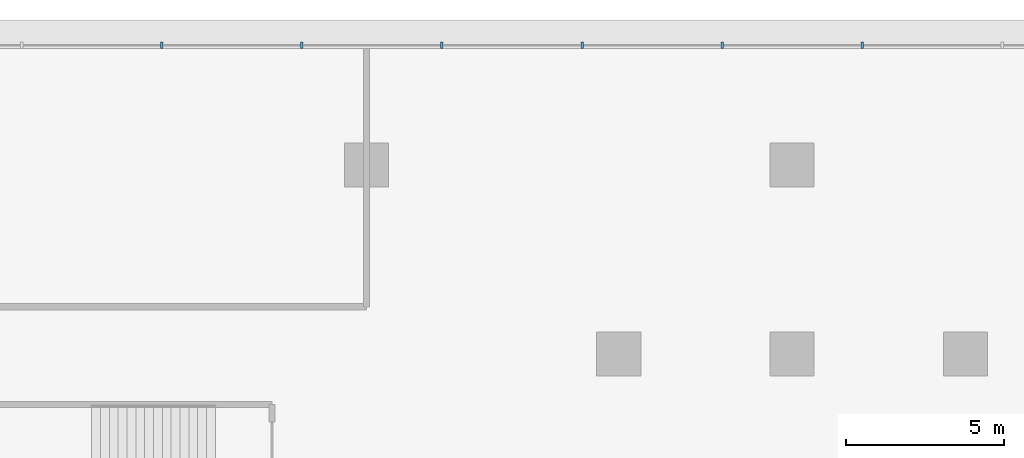
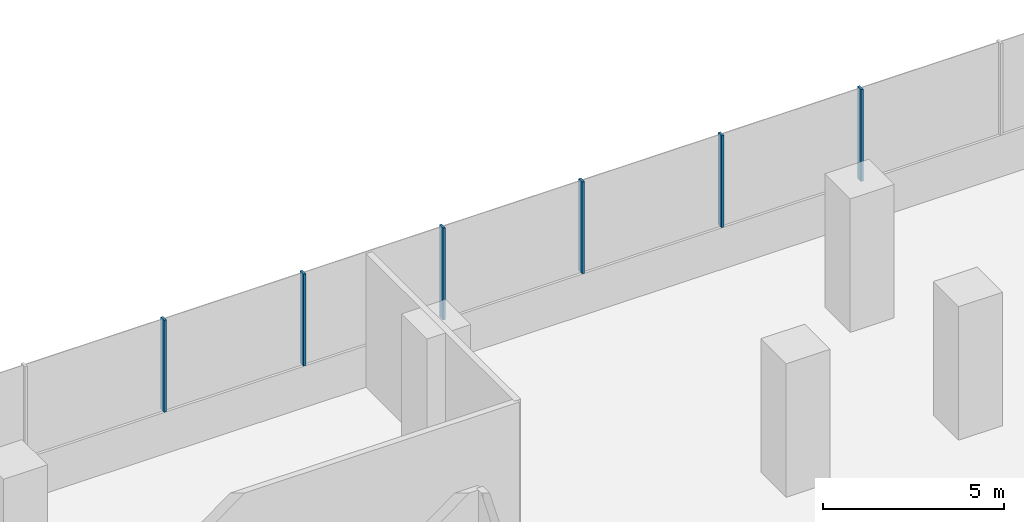
# One storey, part 12 of 44: 6 members, 1 element without a shape of its own.
"""IFC4 building model written with IfcOpenShell, lengths in metres."""

from ifc_helpers import new_model, si_unit, direction, frame, origin, origin_2d, place, context, subcontext, project, spatial, rectangle, extrude, material, layer, layer_set, material_profile, profile_set, type_object, element, aggregate, save


model = new_model("IFC4")

# Units and contexts
model_context = context("Model", 3, precision=1e-05, world=origin(), true_north=direction((0.0, 1.0)))
body_context = subcontext(model_context, "Body", "Model", "MODEL_VIEW")
ifc_project = project(units=[si_unit("LENGTHUNIT", "METRE"), si_unit("AREAUNIT", "SQUARE_METRE"), si_unit("VOLUMEUNIT", "CUBIC_METRE"), si_unit("PLANEANGLEUNIT", "RADIAN"), si_unit("MASSUNIT", "GRAM", prefix="KILO")], contexts=[model_context])

# Site, building, storey
site_placement = place(None, origin())
site = spatial("IfcSite", under=ifc_project, at=site_placement, CompositionType="ELEMENT")
building_placement = place(site_placement, origin())
building = spatial("IfcBuilding", under=site, at=building_placement, Name="Tamarind Cross Interchange Tower", CompositionType="ELEMENT")
storey_placement = place(building_placement, frame((0.0, 0.0, 15.0)))
storey = spatial("IfcBuildingStorey", under=building, at=storey_placement, Name="L02", CompositionType="ELEMENT", Elevation=15.0)

# Curtain wall, members
ifc_material = material(Name="Aluminium 6063-T6", Category="aluminium")
ifc_layer = layer(ifc_material, 0.199951171875)
ifc_layer_set = layer_set([ifc_layer], Name="Aluminium 6063-T6")
curtain_wall_type = type_object("IfcCurtainWallType", Name="Podium shopfront and station curtain wall", PredefinedType="NOTDEFINED", material=ifc_layer_set)
curtain_wall_placement = place(storey_placement, origin())
curtain_wall = element("IfcCurtainWall", 1, at=curtain_wall_placement, inside=storey, type_object=curtain_wall_type, Name="CWS-L02-02", PredefinedType="NOTDEFINED")
ifc_material_profile = material_profile(ifc_material, rectangle(XDim=0.080078125, YDim=0.199951171875, at=origin_2d()), Name="Mullion CW3")
ifc_profile_set = profile_set([ifc_material_profile], Name="Aluminium 6063-T6")
member_type = type_object("IfcMemberType", Name="Mullion CW3", PredefinedType="MULLION", material=ifc_profile_set)
member_1_placement = place(storey_placement, frame((2.2216796875, 57.800048828125, 1.39990234375), z_axis=(0.0, 0.0, 1.0), x_axis=(-1.0, 0.0, 0.0)))
member_1 = element("IfcMember", 2, at=member_1_placement, type_object=member_type, Name="CWM-L02-02-13", PredefinedType="MULLION", context=body_context, shape_type="SweptSolid", body=[
    extrude(rectangle(XDim=0.080078125, YDim=0.199951171875, at=origin_2d()), origin(), (0.0, 0.0, 1.0), 3.10009765625),
])
member_2_placement = place(storey_placement, frame((-2.2216796875, 57.800048828125, 1.39990234375), z_axis=(0.0, 0.0, 1.0), x_axis=(-1.0, 0.0, 0.0)))
member_2 = element("IfcMember", 3, at=member_2_placement, type_object=member_type, Name="CWM-L02-02-14", PredefinedType="MULLION", context=body_context, shape_type="SweptSolid", body=[
    extrude(rectangle(XDim=0.080078125, YDim=0.199951171875, at=origin_2d()), origin(), (0.0, 0.0, 1.0), 3.10009765625),
])
member_3_placement = place(storey_placement, frame((-6.6650390625, 57.800048828125, 1.39990234375), z_axis=(0.0, 0.0, 1.0), x_axis=(-1.0, 0.0, 0.0)))
member_3 = element("IfcMember", 4, at=member_3_placement, type_object=member_type, Name="CWM-L02-02-15", PredefinedType="MULLION", context=body_context, shape_type="SweptSolid", body=[
    extrude(rectangle(XDim=0.080078125, YDim=0.199951171875, at=origin_2d()), origin(), (0.0, 0.0, 1.0), 3.10009765625),
])
member_4_placement = place(storey_placement, frame((-11.108154296875, 57.800048828125, 1.39990234375), z_axis=(0.0, 0.0, 1.0), x_axis=(-1.0, 0.0, 0.0)))
member_4 = element("IfcMember", 5, at=member_4_placement, type_object=member_type, Name="CWM-L02-02-16", PredefinedType="MULLION", context=body_context, shape_type="SweptSolid", body=[
    extrude(rectangle(XDim=0.080078125, YDim=0.199951171875, at=origin_2d()), origin(), (0.0, 0.0, 1.0), 3.10009765625),
])
member_5_placement = place(storey_placement, frame((-15.551513671875, 57.800048828125, 1.39990234375), z_axis=(0.0, 0.0, 1.0), x_axis=(-1.0, 0.0, 0.0)))
member_5 = element("IfcMember", 6, at=member_5_placement, type_object=member_type, Name="CWM-L02-02-17", PredefinedType="MULLION", context=body_context, shape_type="SweptSolid", body=[
    extrude(rectangle(XDim=0.080078125, YDim=0.199951171875, at=origin_2d()), origin(), (0.0, 0.0, 1.0), 3.10009765625),
])
member_6_placement = place(storey_placement, frame((-19.994873046875, 57.800048828125, 1.39990234375), z_axis=(0.0, 0.0, 1.0), x_axis=(-1.0, 0.0, 0.0)))
member_6 = element("IfcMember", 7, at=member_6_placement, type_object=member_type, Name="CWM-L02-02-18", PredefinedType="MULLION", context=body_context, shape_type="SweptSolid", body=[
    extrude(rectangle(XDim=0.080078125, YDim=0.199951171875, at=origin_2d()), origin(), (0.0, 0.0, 1.0), 3.10009765625),
])
aggregate(curtain_wall, [member_1, member_2, member_3, member_4, member_5, member_6])

save(model, "model.ifc")
